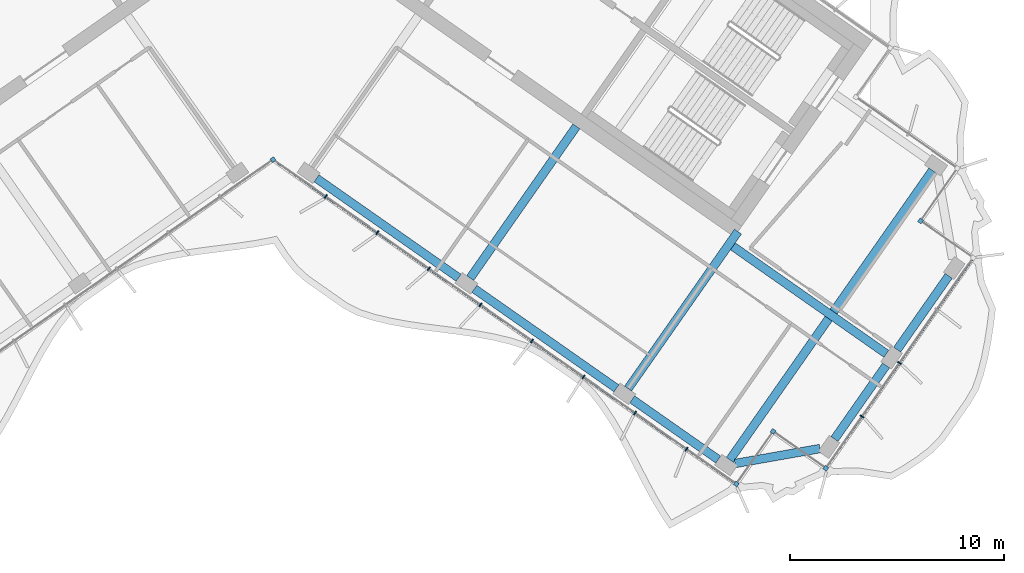
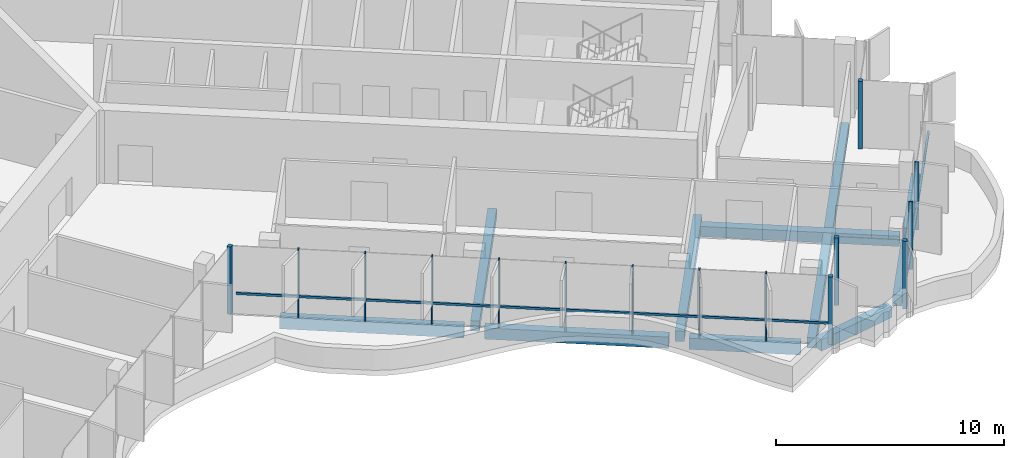
# One storey, part 4 of 20: 17 members, 10 beams, 1 element without a shape of its own.
"""IFC4 building model written with IfcOpenShell, lengths in metres."""

from ifc_helpers import new_model, si_unit, direction, frame, origin, origin_2d, place, context, subcontext, project, spatial, rectangle, extrude, material, material_profile, profile_set, type_object, element, aggregate, save


model = new_model("IFC4")

# Units and contexts
model_context = context("Model", 3, precision=1e-05, world=origin(), true_north=direction((0.0, 1.0)))
body_context = subcontext(model_context, "Body", "Model", "MODEL_VIEW")
ifc_project = project(units=[si_unit("LENGTHUNIT", "METRE"), si_unit("AREAUNIT", "SQUARE_METRE"), si_unit("VOLUMEUNIT", "CUBIC_METRE"), si_unit("PLANEANGLEUNIT", "RADIAN"), si_unit("MASSUNIT", "GRAM", prefix="KILO")], contexts=[model_context])

# Site, building, storey
site_placement = place(None, origin())
site = spatial("IfcSite", under=ifc_project, at=site_placement, CompositionType="ELEMENT")
building_placement = place(site_placement, origin())
building = spatial("IfcBuilding", under=site, at=building_placement, Name="Tel Ilan Convention Tower", CompositionType="ELEMENT")
storey_placement = place(building_placement, frame((0.0, 0.0, 229.300048828125)))
storey = spatial("IfcBuildingStorey", under=building, at=storey_placement, Name="L53", CompositionType="ELEMENT", Elevation=229.300048828125)

# Beams
ifc_material_1 = material(Name="Concrete C40/50", Category="concrete")
ifc_material_profile_1 = material_profile(ifc_material_1, rectangle(XDim=0.39990234375, YDim=0.550048828125, at=origin_2d()), Name="RC 400x550")
ifc_profile_set_1 = profile_set([ifc_material_profile_1], Name="Concrete C40/50")
beam_type_1 = type_object("IfcBeamType", Name="Beam RC 400x550 Concrete C40/50", PredefinedType="BEAM", material=ifc_profile_set_1)
beam_1_placement = place(storey_placement, frame((9.209716796875, -18.229248046875, -0.554931640625), z_axis=(0.573574099654, 0.819153680457, 0.0), x_axis=(-0.819153680457, 0.573574099654, 0.0)))
element("IfcBeam", 1, at=beam_1_placement, inside=storey, type_object=beam_type_1, Name="L53 beam E-E-F2-core", PredefinedType="BEAM", context=body_context, shape_type="SweptSolid", body=[
    extrude(rectangle(XDim=0.39990234375, YDim=0.550048828125, at=origin_2d()), origin(), (0.0, 0.0, 1.0), 8.64990234375),
])
beam_2_placement = place(storey_placement, frame((16.58203125, -23.391357421875, -0.554931640625), z_axis=(0.573584999642, 0.819146048141, 0.0), x_axis=(-0.819146048141, 0.573584999642, 0.0)))
element("IfcBeam", 2, at=beam_2_placement, inside=storey, type_object=beam_type_1, Name="L53 beam E-E-F3-core", PredefinedType="BEAM", context=body_context, shape_type="SweptSolid", body=[
    extrude(rectangle(XDim=0.39990234375, YDim=0.550048828125, at=origin_2d()), origin(), (0.0, 0.0, 1.0), 8.949951171875),
])
beam_3_placement = place(storey_placement, frame((21.477783203125, -16.748046875, -0.554931640625), z_axis=(0.819157197737, -0.573569076395, 0.0), x_axis=(0.573569076395, 0.819157197737, 0.0)))
element("IfcBeam", 3, at=beam_3_placement, inside=storey, type_object=beam_type_1, Name="L53 beam E-core-end", PredefinedType="BEAM", context=body_context, shape_type="SweptSolid", body=[
    extrude(rectangle(XDim=0.39990234375, YDim=0.550048828125, at=origin_2d()), origin(), (0.0, 0.0, 1.0), 8.75),
])
beam_4_placement = place(storey_placement, frame((21.333251953125, -26.718017578125, -0.554931640625), z_axis=(0.573574554643, 0.819153361872, 0.0), x_axis=(-0.819153361872, 0.573574554643, 0.0)))
element("IfcBeam", 4, at=beam_4_placement, inside=storey, type_object=beam_type_1, Name="L53 beam E-E-FC-E-BC", PredefinedType="BEAM", context=body_context, shape_type="SweptSolid", body=[
    extrude(rectangle(XDim=0.39990234375, YDim=0.550048828125, at=origin_2d()), origin(), (0.0, 0.0, 1.0), 16.499755859375),
])
ifc_material_2 = material(Name="Concrete C40/50", Category="concrete")
ifc_material_profile_2 = material_profile(ifc_material_2, rectangle(XDim=0.39990234375, YDim=0.60009765625, at=origin_2d()), Name="RC 400x600")
ifc_profile_set_2 = profile_set([ifc_material_profile_2], Name="Concrete C40/50")
beam_type_2 = type_object("IfcBeamType", Name="Beam RC 400x600 Concrete C40/50", PredefinedType="BEAM", material=ifc_profile_set_2)
beam_5_placement = place(storey_placement, frame((2.033935546875, -13.57080078125, -0.580078125), z_axis=(0.81914553362, -0.573585734437, 0.0), x_axis=(0.573585734437, 0.81914553362, 0.0)))
element("IfcBeam", 5, at=beam_5_placement, inside=storey, type_object=beam_type_2, Name="L53 beam E-E-F1-E-F2", PredefinedType="BEAM", context=body_context, shape_type="SweptSolid", body=[
    extrude(rectangle(XDim=0.39990234375, YDim=0.60009765625, at=origin_2d()), origin(), (0.0, 0.0, 1.0), 8.099853515625),
])
beam_6_placement = place(storey_placement, frame((9.40625, -18.73291015625, -0.580078125), z_axis=(0.819155449703, -0.573571572885, 0.0), x_axis=(0.573571572885, 0.819155449703, 0.0)))
element("IfcBeam", 6, at=beam_6_placement, inside=storey, type_object=beam_type_2, Name="L53 beam E-E-F2-E-F3", PredefinedType="BEAM", context=body_context, shape_type="SweptSolid", body=[
    extrude(rectangle(XDim=0.39990234375, YDim=0.60009765625, at=origin_2d()), origin(), (0.0, 0.0, 1.0), 8.10009765625),
])
beam_7_placement = place(storey_placement, frame((16.778564453125, -23.895263671875, -0.580078125), z_axis=(0.819154669329, -0.573572687386, 0.0), x_axis=(0.573572687386, 0.819154669329, 0.0)))
element("IfcBeam", 7, at=beam_7_placement, inside=storey, type_object=beam_type_2, Name="L53 beam E-E-F3-E-FC", PredefinedType="BEAM", context=body_context, shape_type="SweptSolid", body=[
    extrude(rectangle(XDim=0.39990234375, YDim=0.60009765625, at=origin_2d()), origin(), (0.0, 0.0, 1.0), 4.900146484375),
])
beam_8_placement = place(storey_placement, frame((21.578857421875, -26.89013671875, -0.580078125), z_axis=(0.984804894423, 0.173664388751, 0.0), x_axis=(-0.173664388751, 0.984804894423, 0.0)))
element("IfcBeam", 8, at=beam_8_placement, inside=storey, type_object=beam_type_2, Name="L53 beam E-E-FC-E-E1", PredefinedType="BEAM", context=body_context, shape_type="SweptSolid", body=[
    extrude(rectangle(XDim=0.39990234375, YDim=0.60009765625, at=origin_2d()), origin(), (0.0, 0.0, 1.0), 4.030517578125),
])
for number, where, z_axis, x_axis, name in (
    (9, (26.22412109375, -25.748046875, -0.580078125), (0.573563773994, 0.819160910421, 0.0), (-0.819160910421, 0.573563773994, 0.0), "L53 beam E-E-E1-E-E2"),
    (10, (29.1494140625, -21.5703125, -0.580078125), (0.573563773994, 0.819160910421, 0.0), (-0.819160910421, 0.573563773994, 0.0), "L53 beam E-E-E2-E-E3"),
):
    element("IfcBeam", number, at=place(storey_placement, frame(where, z_axis=z_axis, x_axis=x_axis)), inside=storey, type_object=beam_type_2, Name=name, PredefinedType="BEAM", context=body_context, shape_type="SweptSolid", body=[
        extrude(rectangle(XDim=0.39990234375, YDim=0.60009765625, at=origin_2d()), origin(), (0.0, 0.0, 1.0), 4.199951171875),
    ])

# Curtain wall, members
ifc_material_3 = material(Name="Aluminium, bronze anodised", Category="aluminium")
curtain_wall_type = type_object("IfcCurtainWallType", Name="CW5 STICK CURTAIN WALL, UPPER OFFICE LOW-IRON TINTED GLASS", PredefinedType="NOTDEFINED", material=ifc_material_3)
curtain_wall_placement = place(storey_placement, origin())
curtain_wall = element("IfcCurtainWall", 11, at=curtain_wall_placement, inside=storey, type_object=curtain_wall_type, Name="Curtain wall CW5-42.02", PredefinedType="NOTDEFINED")
ifc_material_4 = material(Name="Aluminium, bronze anodised", Category="aluminium")
ifc_material_profile_3 = material_profile(ifc_material_4, rectangle(XDim=0.199951171875, YDim=0.199951171875, at=origin_2d()), Name="CW CORNER MULLION 200x200")
ifc_profile_set_3 = profile_set([ifc_material_profile_3], Name="Aluminium, bronze anodised")
member_type_1 = type_object("IfcMemberType", Name="CW CORNER MULLION 200x200", PredefinedType="MULLION", material=ifc_profile_set_3)
member_1_placement = place(storey_placement, frame((0.0, -12.696044921875, 0.0), z_axis=(0.0, 0.0, 1.0), x_axis=(0.819152044289, 0.573576436351, 0.0)))
member_1 = element("IfcMember", 12, at=member_1_placement, type_object=member_type_1, Name="Corner mullion", PredefinedType="MULLION", context=body_context, shape_type="SweptSolid", body=[
    extrude(rectangle(XDim=0.199951171875, YDim=0.199951171875, at=origin_2d()), origin(), (0.0, 0.0, 1.0), 3.619873046875),
])
member_2_placement = place(storey_placement, frame((21.64013671875, -27.8486328125, 0.0), z_axis=(0.0, 0.0, 1.0), x_axis=(0.819152044289, -0.573576436351, 0.0)))
member_2 = element("IfcMember", 13, at=member_2_placement, type_object=member_type_1, Name="Corner mullion", PredefinedType="MULLION", context=body_context, shape_type="SweptSolid", body=[
    extrude(rectangle(XDim=0.199951171875, YDim=0.199951171875, at=origin_2d()), origin(), (0.0, 0.0, 1.0), 3.619873046875),
])
member_3_placement = place(storey_placement, frame((23.36083984375, -25.391357421875, 0.0), z_axis=(0.0, 0.0, 1.0), x_axis=(0.573576436351, 0.819152044289, 0.0)))
member_3 = element("IfcMember", 14, at=member_3_placement, type_object=member_type_1, Name="Corner mullion", PredefinedType="MULLION", context=body_context, shape_type="SweptSolid", body=[
    extrude(rectangle(XDim=0.199951171875, YDim=0.199951171875, at=origin_2d()), origin(), (0.0, 0.0, 1.0), 3.619873046875),
])
member_4_placement = place(storey_placement, frame((25.818359375, -27.112060546875, 0.0), z_axis=(0.0, 0.0, 1.0), x_axis=(0.819152044289, -0.573576436351, 0.0)))
member_4 = element("IfcMember", 15, at=member_4_placement, type_object=member_type_1, Name="Corner mullion", PredefinedType="MULLION", context=body_context, shape_type="SweptSolid", body=[
    extrude(rectangle(XDim=0.199951171875, YDim=0.199951171875, at=origin_2d()), origin(), (0.0, 0.0, 1.0), 3.619873046875),
])
member_5_placement = place(storey_placement, frame((30.243896484375, -15.5615234375, 0.0), z_axis=(0.0, 0.0, 1.0), x_axis=(-0.819152044289, 0.573576436351, 0.0)))
member_5 = element("IfcMember", 16, at=member_5_placement, type_object=member_type_1, Name="Corner mullion", PredefinedType="MULLION", context=body_context, shape_type="SweptSolid", body=[
    extrude(rectangle(XDim=0.199951171875, YDim=0.199951171875, at=origin_2d()), origin(), (0.0, 0.0, 1.0), 3.619873046875),
])
ifc_material_5 = material(Name="Aluminium, bronze anodised", Category="aluminium")
ifc_material_profile_4 = material_profile(ifc_material_5, rectangle(XDim=0.06005859375, YDim=0.199951171875, at=origin_2d()), Name="CW MULLION 60x200")
ifc_profile_set_4 = profile_set([ifc_material_profile_4], Name="Aluminium, bronze anodised")
member_type_2 = type_object("IfcMemberType", Name="CW MULLION 60x200", PredefinedType="MULLION", material=ifc_profile_set_4)
member_6_placement = place(storey_placement, frame((2.464599609375, -14.421875, 0.0), z_axis=(0.0, 0.0, 1.0), x_axis=(0.819152044289, -0.573576436351, 0.0)))
member_6 = element("IfcMember", 17, at=member_6_placement, type_object=member_type_2, Name="Mullion", PredefinedType="MULLION", context=body_context, shape_type="SweptSolid", body=[
    extrude(rectangle(XDim=0.06005859375, YDim=0.199951171875, at=origin_2d()), origin(), (0.0, 0.0, 1.0), 3.619873046875),
])
member_7_placement = place(storey_placement, frame((4.871826171875, -16.107177734375, 0.0), z_axis=(0.0, 0.0, 1.0), x_axis=(0.819152044289, -0.573576436351, 0.0)))
member_7 = element("IfcMember", 18, at=member_7_placement, type_object=member_type_2, Name="Mullion", PredefinedType="MULLION", context=body_context, shape_type="SweptSolid", body=[
    extrude(rectangle(XDim=0.06005859375, YDim=0.199951171875, at=origin_2d()), origin(), (0.0, 0.0, 1.0), 3.619873046875),
])
member_8_placement = place(storey_placement, frame((7.279052734375, -17.792724609375, 0.0), z_axis=(0.0, 0.0, 1.0), x_axis=(0.819152044289, -0.573576436351, 0.0)))
member_8 = element("IfcMember", 19, at=member_8_placement, type_object=member_type_2, Name="Mullion", PredefinedType="MULLION", context=body_context, shape_type="SweptSolid", body=[
    extrude(rectangle(XDim=0.06005859375, YDim=0.199951171875, at=origin_2d()), origin(), (0.0, 0.0, 1.0), 3.619873046875),
])
member_9_placement = place(storey_placement, frame((9.68603515625, -19.478271484375, 0.0), z_axis=(0.0, 0.0, 1.0), x_axis=(0.819152044289, -0.573576436351, 0.0)))
member_9 = element("IfcMember", 20, at=member_9_placement, type_object=member_type_2, Name="Mullion", PredefinedType="MULLION", context=body_context, shape_type="SweptSolid", body=[
    extrude(rectangle(XDim=0.06005859375, YDim=0.199951171875, at=origin_2d()), origin(), (0.0, 0.0, 1.0), 3.619873046875),
])
member_10_placement = place(storey_placement, frame((12.09326171875, -21.163818359375, 0.0), z_axis=(0.0, 0.0, 1.0), x_axis=(0.819152044289, -0.573576436351, 0.0)))
member_10 = element("IfcMember", 21, at=member_10_placement, type_object=member_type_2, Name="Mullion", PredefinedType="MULLION", context=body_context, shape_type="SweptSolid", body=[
    extrude(rectangle(XDim=0.06005859375, YDim=0.199951171875, at=origin_2d()), origin(), (0.0, 0.0, 1.0), 3.619873046875),
])
member_11_placement = place(storey_placement, frame((14.50048828125, -22.849365234375, 0.0), z_axis=(0.0, 0.0, 1.0), x_axis=(0.819152044289, -0.573576436351, 0.0)))
member_11 = element("IfcMember", 22, at=member_11_placement, type_object=member_type_2, Name="Mullion", PredefinedType="MULLION", context=body_context, shape_type="SweptSolid", body=[
    extrude(rectangle(XDim=0.06005859375, YDim=0.199951171875, at=origin_2d()), origin(), (0.0, 0.0, 1.0), 3.619873046875),
])
member_12_placement = place(storey_placement, frame((16.90771484375, -24.534912109375, 0.0), z_axis=(0.0, 0.0, 1.0), x_axis=(0.819152044289, -0.573576436351, 0.0)))
member_12 = element("IfcMember", 23, at=member_12_placement, type_object=member_type_2, Name="Mullion", PredefinedType="MULLION", context=body_context, shape_type="SweptSolid", body=[
    extrude(rectangle(XDim=0.06005859375, YDim=0.199951171875, at=origin_2d()), origin(), (0.0, 0.0, 1.0), 3.619873046875),
])
member_13_placement = place(storey_placement, frame((19.31494140625, -26.220458984375, 0.0), z_axis=(0.0, 0.0, 1.0), x_axis=(0.819152044289, -0.573576436351, 0.0)))
member_13 = element("IfcMember", 24, at=member_13_placement, type_object=member_type_2, Name="Mullion", PredefinedType="MULLION", context=body_context, shape_type="SweptSolid", body=[
    extrude(rectangle(XDim=0.06005859375, YDim=0.199951171875, at=origin_2d()), origin(), (0.0, 0.0, 1.0), 3.619873046875),
])
member_14_placement = place(storey_placement, frame((27.510498046875, -24.695556640625, 0.0), z_axis=(0.0, 0.0, 1.0), x_axis=(0.573576436351, 0.819152044289, 0.0)))
member_14 = element("IfcMember", 25, at=member_14_placement, type_object=member_type_2, Name="Mullion", PredefinedType="MULLION", context=body_context, shape_type="SweptSolid", body=[
    extrude(rectangle(XDim=0.06005859375, YDim=0.199951171875, at=origin_2d()), origin(), (0.0, 0.0, 1.0), 3.619873046875),
])
member_15_placement = place(storey_placement, frame((29.259765625, -22.197021484375, 0.0), z_axis=(0.0, 0.0, 1.0), x_axis=(0.573576436351, 0.819152044289, 0.0)))
member_15 = element("IfcMember", 26, at=member_15_placement, type_object=member_type_2, Name="Mullion", PredefinedType="MULLION", context=body_context, shape_type="SweptSolid", body=[
    extrude(rectangle(XDim=0.06005859375, YDim=0.199951171875, at=origin_2d()), origin(), (0.0, 0.0, 1.0), 3.619873046875),
])
ifc_material_6 = material(Name="Aluminium, bronze anodised", Category="aluminium")
ifc_material_profile_5 = material_profile(ifc_material_6, rectangle(XDim=0.10009765625, YDim=0.1201171875, at=origin_2d()), Name="CW TRANSOM 100x120")
ifc_profile_set_5 = profile_set([ifc_material_profile_5], Name="Aluminium, bronze anodised")
member_type_3 = type_object("IfcMemberType", Name="CW TRANSOM 100x120", PredefinedType="USERDEFINED", material=ifc_profile_set_5)
member_16_placement = place(storey_placement, frame((0.22119140625, -12.850830078125, 1.099853515625), z_axis=(0.819152212587, -0.573576195996, 0.0), x_axis=(0.573576195996, 0.819152212587, 0.0)))
member_16 = element("IfcMember", 27, at=member_16_placement, type_object=member_type_3, Name="Transom", ObjectType="TRANSOM", PredefinedType="USERDEFINED", context=body_context, shape_type="SweptSolid", body=[
    extrude(rectangle(XDim=0.10009765625, YDim=0.1201171875, at=origin_2d()), origin(), (0.0, 0.0, 1.0), 26.0478515625),
])
member_17_placement = place(storey_placement, frame((25.875732421875, -27.030029296875, 1.099853515625), z_axis=(0.573581755582, 0.819148319698, 0.0), x_axis=(-0.819148319698, 0.573581755582, 0.0)))
member_17 = element("IfcMember", 28, at=member_17_placement, type_object=member_type_3, Name="Transom", ObjectType="TRANSOM", PredefinedType="USERDEFINED", context=body_context, shape_type="SweptSolid", body=[
    extrude(rectangle(XDim=0.10009765625, YDim=0.1201171875, at=origin_2d()), origin(), (0.0, 0.0, 1.0), 11.800048828125),
])
aggregate(curtain_wall, [member_1, member_6, member_7, member_8, member_9, member_10, member_11, member_12, member_13, member_2, member_16, member_3, member_4, member_14, member_15, member_17, member_5])

save(model, "model.ifc")
